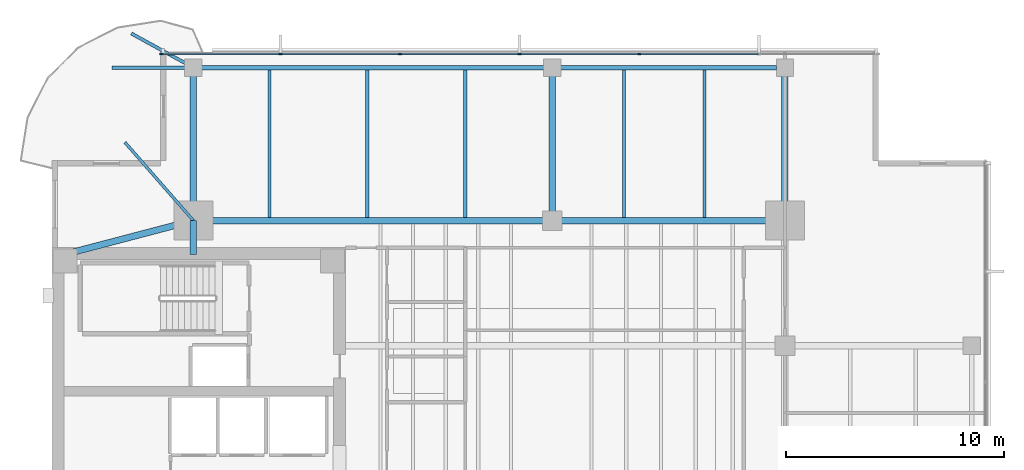
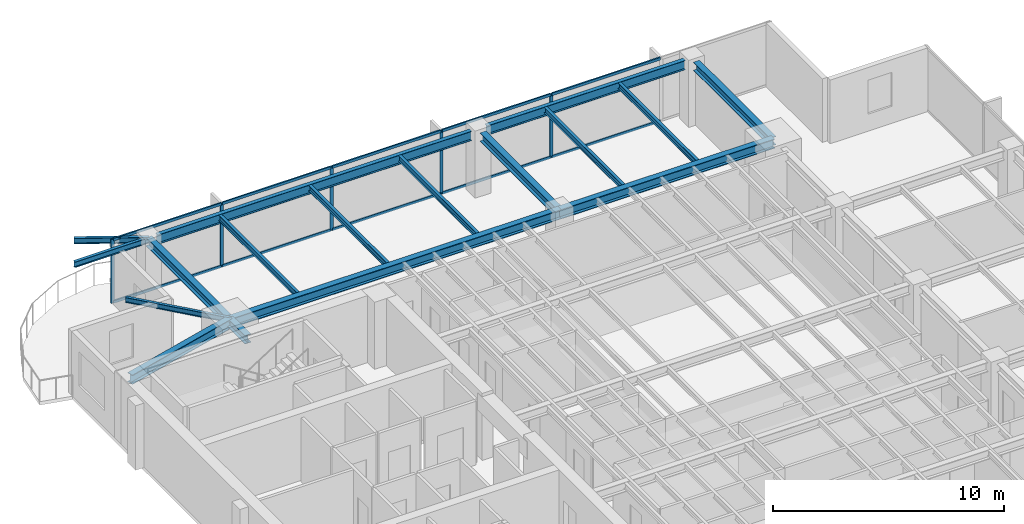
# One storey, part 5 of 14: 17 beams, 15 members, 1 element without a shape of its own.
"""IFC4 building model written with IfcOpenShell, lengths in metres."""

from ifc_helpers import new_model, si_unit, direction, frame, origin, origin_2d, place, context, subcontext, project, spatial, rectangle, i_section, extrude, material, layer, layer_set, material_profile, profile_set, type_object, element, aggregate, save


model = new_model("IFC4")

# Units and contexts
model_context = context("Model", 3, precision=1e-05, world=origin(), true_north=direction((0.0, 1.0)))
body_context = subcontext(model_context, "Body", "Model", "MODEL_VIEW")
ifc_project = project(units=[si_unit("LENGTHUNIT", "METRE"), si_unit("AREAUNIT", "SQUARE_METRE"), si_unit("VOLUMEUNIT", "CUBIC_METRE"), si_unit("PLANEANGLEUNIT", "RADIAN"), si_unit("MASSUNIT", "GRAM", prefix="KILO")], contexts=[model_context])

# Site, building, storey
site_placement = place(None, origin())
site = spatial("IfcSite", under=ifc_project, at=site_placement, CompositionType="ELEMENT")
building_placement = place(site_placement, origin())
building = spatial("IfcBuilding", under=site, at=building_placement, Name="Kinhvarn Gate Tower", CompositionType="ELEMENT")
storey_placement = place(building_placement, frame((0.0, 0.0, 230.64990234375)))
storey = spatial("IfcBuildingStorey", under=building, at=storey_placement, Name="L61", CompositionType="ELEMENT", Elevation=230.64990234375)

# Curtain wall, members
ifc_material_1 = material(Name="Anodised aluminium AW-6063", Category="aluminium")
ifc_layer = layer(ifc_material_1, 0.179931640625)
ifc_layer_set = layer_set([ifc_layer], Name="Anodised aluminium AW-6063")
curtain_wall_type = type_object("IfcCurtainWallType", Name="CW-SYS-3", PredefinedType="NOTDEFINED", material=ifc_layer_set)
curtain_wall_placement = place(storey_placement, origin())
curtain_wall = element("IfcCurtainWall", 1, at=curtain_wall_placement, inside=storey, type_object=curtain_wall_type, Name="Curtain Wall CW3 (L61)", PredefinedType="NOTDEFINED")
ifc_material_profile_1 = material_profile(ifc_material_1, rectangle(XDim=0.06494140625, YDim=0.159912109375, at=origin_2d()), Name="ALU 65x160")
ifc_profile_set_1 = profile_set([ifc_material_profile_1], Name="Anodised aluminium AW-6063")
member_type_1 = type_object("IfcMemberType", Name="CW-MUL-160", PredefinedType="MULLION", material=ifc_profile_set_1)
member_1_placement = place(storey_placement, frame((31.5, 45.409912109375, 0.0), z_axis=(0.0, 0.0, 1.0), x_axis=(0.0, -1.0, 0.0)))
member_1 = element("IfcMember", 2, at=member_1_placement, type_object=member_type_1, Name="CW3 mullion 3", PredefinedType="MULLION", context=body_context, shape_type="SweptSolid", body=[
    extrude(rectangle(XDim=0.06494140625, YDim=0.159912109375, at=origin_2d()), origin(), (0.0, 0.0, 1.0), 3.3701171875),
])
member_2_placement = place(storey_placement, frame((26.0, 45.409912109375, 0.0), z_axis=(0.0, 0.0, 1.0), x_axis=(0.0, -1.0, 0.0)))
member_2 = element("IfcMember", 3, at=member_2_placement, type_object=member_type_1, Name="CW3 mullion 4", PredefinedType="MULLION", context=body_context, shape_type="SweptSolid", body=[
    extrude(rectangle(XDim=0.06494140625, YDim=0.159912109375, at=origin_2d()), origin(), (0.0, 0.0, 1.0), 3.3701171875),
])
member_3_placement = place(storey_placement, frame((20.5, 45.409912109375, 0.0), z_axis=(0.0, 0.0, 1.0), x_axis=(0.0, -1.0, 0.0)))
member_3 = element("IfcMember", 4, at=member_3_placement, type_object=member_type_1, Name="CW3 mullion 5", PredefinedType="MULLION", context=body_context, shape_type="SweptSolid", body=[
    extrude(rectangle(XDim=0.06494140625, YDim=0.159912109375, at=origin_2d()), origin(), (0.0, 0.0, 1.0), 3.3701171875),
])
member_4_placement = place(storey_placement, frame((15.0, 45.409912109375, 0.0), z_axis=(0.0, 0.0, 1.0), x_axis=(0.0, -1.0, 0.0)))
member_4 = element("IfcMember", 5, at=member_4_placement, type_object=member_type_1, Name="CW3 mullion 6", PredefinedType="MULLION", context=body_context, shape_type="SweptSolid", body=[
    extrude(rectangle(XDim=0.06494140625, YDim=0.159912109375, at=origin_2d()), origin(), (0.0, 0.0, 1.0), 3.3701171875),
])
member_5_placement = place(storey_placement, frame((9.532470703125, 45.409912109375, 0.0), z_axis=(0.0, 0.0, 1.0), x_axis=(0.0, -1.0, 0.0)))
member_5 = element("IfcMember", 6, at=member_5_placement, type_object=member_type_1, Name="CW3 mullion 7", PredefinedType="MULLION", context=body_context, shape_type="SweptSolid", body=[
    extrude(rectangle(XDim=0.06494140625, YDim=0.159912109375, at=origin_2d()), origin(), (0.0, 0.0, 1.0), 3.3701171875),
])
ifc_material_profile_2 = material_profile(ifc_material_1, rectangle(XDim=0.070068359375, YDim=0.139892578125, at=origin_2d()), Name="ALU 70x140")
ifc_profile_set_2 = profile_set([ifc_material_profile_2], Name="Anodised aluminium AW-6063")
member_type_2 = type_object("IfcMemberType", Name="CW-TRN-140", PredefinedType="USERDEFINED", material=ifc_profile_set_2)
member_6_placement = place(storey_placement, frame((36.967529296875, 45.409912109375, 0.03515625), z_axis=(-1.0, 0.0, 0.0), x_axis=(0.0, -1.0, 0.0)))
member_6 = element("IfcMember", 7, at=member_6_placement, type_object=member_type_2, Name="CW3 transom 2.1", ObjectType="TRANSOM", PredefinedType="USERDEFINED", context=body_context, shape_type="SweptSolid", body=[
    extrude(rectangle(XDim=0.070068359375, YDim=0.139892578125, at=origin_2d()), origin(), (0.0, 0.0, 1.0), 5.43505859375),
])
member_7_placement = place(storey_placement, frame((36.967529296875, 45.409912109375, 3.335205078125), z_axis=(-1.0, 0.0, 0.0), x_axis=(0.0, -1.0, 0.0)))
member_7 = element("IfcMember", 8, at=member_7_placement, type_object=member_type_2, Name="CW3 transom 2.2", ObjectType="TRANSOM", PredefinedType="USERDEFINED", context=body_context, shape_type="SweptSolid", body=[
    extrude(rectangle(XDim=0.070068359375, YDim=0.139892578125, at=origin_2d()), origin(), (0.0, 0.0, 1.0), 5.43505859375),
])
member_8_placement = place(storey_placement, frame((31.467529296875, 45.409912109375, 0.03515625), z_axis=(-1.0, 0.0, 0.0), x_axis=(0.0, -1.0, 0.0)))
member_8 = element("IfcMember", 9, at=member_8_placement, type_object=member_type_2, Name="CW3 transom 3.1", ObjectType="TRANSOM", PredefinedType="USERDEFINED", context=body_context, shape_type="SweptSolid", body=[
    extrude(rectangle(XDim=0.070068359375, YDim=0.139892578125, at=origin_2d()), origin(), (0.0, 0.0, 1.0), 5.43505859375),
])
member_9_placement = place(storey_placement, frame((31.467529296875, 45.409912109375, 3.335205078125), z_axis=(-1.0, 0.0, 0.0), x_axis=(0.0, -1.0, 0.0)))
member_9 = element("IfcMember", 10, at=member_9_placement, type_object=member_type_2, Name="CW3 transom 3.2", ObjectType="TRANSOM", PredefinedType="USERDEFINED", context=body_context, shape_type="SweptSolid", body=[
    extrude(rectangle(XDim=0.070068359375, YDim=0.139892578125, at=origin_2d()), origin(), (0.0, 0.0, 1.0), 5.43505859375),
])
member_10_placement = place(storey_placement, frame((25.967529296875, 45.409912109375, 0.03515625), z_axis=(-1.0, 0.0, 0.0), x_axis=(0.0, -1.0, 0.0)))
member_10 = element("IfcMember", 11, at=member_10_placement, type_object=member_type_2, Name="CW3 transom 4.1", ObjectType="TRANSOM", PredefinedType="USERDEFINED", context=body_context, shape_type="SweptSolid", body=[
    extrude(rectangle(XDim=0.070068359375, YDim=0.139892578125, at=origin_2d()), origin(), (0.0, 0.0, 1.0), 5.43505859375),
])
member_11_placement = place(storey_placement, frame((25.967529296875, 45.409912109375, 3.335205078125), z_axis=(-1.0, 0.0, 0.0), x_axis=(0.0, -1.0, 0.0)))
member_11 = element("IfcMember", 12, at=member_11_placement, type_object=member_type_2, Name="CW3 transom 4.2", ObjectType="TRANSOM", PredefinedType="USERDEFINED", context=body_context, shape_type="SweptSolid", body=[
    extrude(rectangle(XDim=0.070068359375, YDim=0.139892578125, at=origin_2d()), origin(), (0.0, 0.0, 1.0), 5.43505859375),
])
member_12_placement = place(storey_placement, frame((20.467529296875, 45.409912109375, 0.03515625), z_axis=(-1.0, 0.0, 0.0), x_axis=(0.0, -1.0, 0.0)))
member_12 = element("IfcMember", 13, at=member_12_placement, type_object=member_type_2, Name="CW3 transom 5.1", ObjectType="TRANSOM", PredefinedType="USERDEFINED", context=body_context, shape_type="SweptSolid", body=[
    extrude(rectangle(XDim=0.070068359375, YDim=0.139892578125, at=origin_2d()), origin(), (0.0, 0.0, 1.0), 5.43505859375),
])
member_13_placement = place(storey_placement, frame((20.467529296875, 45.409912109375, 3.335205078125), z_axis=(-1.0, 0.0, 0.0), x_axis=(0.0, -1.0, 0.0)))
member_13 = element("IfcMember", 14, at=member_13_placement, type_object=member_type_2, Name="CW3 transom 5.2", ObjectType="TRANSOM", PredefinedType="USERDEFINED", context=body_context, shape_type="SweptSolid", body=[
    extrude(rectangle(XDim=0.070068359375, YDim=0.139892578125, at=origin_2d()), origin(), (0.0, 0.0, 1.0), 5.43505859375),
])
member_14_placement = place(storey_placement, frame((14.967529296875, 45.409912109375, 0.03515625), z_axis=(-1.0, 0.0, 0.0), x_axis=(0.0, -1.0, 0.0)))
member_14 = element("IfcMember", 15, at=member_14_placement, type_object=member_type_2, Name="CW3 transom 6.1", ObjectType="TRANSOM", PredefinedType="USERDEFINED", context=body_context, shape_type="SweptSolid", body=[
    extrude(rectangle(XDim=0.070068359375, YDim=0.139892578125, at=origin_2d()), origin(), (0.0, 0.0, 1.0), 5.402587890625),
])
member_15_placement = place(storey_placement, frame((14.967529296875, 45.409912109375, 3.335205078125), z_axis=(-1.0, 0.0, 0.0), x_axis=(0.0, -1.0, 0.0)))
member_15 = element("IfcMember", 16, at=member_15_placement, type_object=member_type_2, Name="CW3 transom 6.2", ObjectType="TRANSOM", PredefinedType="USERDEFINED", context=body_context, shape_type="SweptSolid", body=[
    extrude(rectangle(XDim=0.070068359375, YDim=0.139892578125, at=origin_2d()), origin(), (0.0, 0.0, 1.0), 5.402587890625),
])
aggregate(curtain_wall, [member_1, member_2, member_3, member_4, member_5, member_6, member_7, member_8, member_9, member_10, member_11, member_12, member_13, member_14, member_15])

# Beams
ifc_material_2 = material(Name="Steel S355", Category="steel")
ifc_material_profile_3 = material_profile(ifc_material_2, i_section(OverallWidth=0.300048828125, OverallDepth=0.449951171875, WebThickness=0.013916015625, FlangeThickness=0.02587890625, at=origin_2d()), Name="HEB 450")
ifc_profile_set_3 = profile_set([ifc_material_profile_3], Name="Steel S355")
beam_type_1 = type_object("IfcBeamType", Name="STL-HEB450", PredefinedType="BEAM", material=ifc_profile_set_3)
beam_1_placement = place(storey_placement, frame((11.0, 36.199951171875, 3.14501953125), z_axis=(0.0, 1.0, 0.0), x_axis=(-1.0, 0.0, 0.0)))
element("IfcBeam", 17, at=beam_1_placement, inside=storey, type_object=beam_type_1, Name="Floor Beam PG-13 (L61 MCW-CN)", PredefinedType="BEAM", context=body_context, shape_type="SweptSolid", body=[
    extrude(i_section(OverallWidth=0.300048828125, OverallDepth=0.449951171875, WebThickness=0.013916015625, FlangeThickness=0.02587890625, at=origin_2d()), origin(), (0.0, 0.0, 1.0), 1.550048828125),
])
beam_2_placement = place(storey_placement, frame((11.0, 37.75, 3.14501953125), z_axis=(0.0, 1.0, 0.0), x_axis=(-1.0, 0.0, 0.0)))
element("IfcBeam", 18, at=beam_2_placement, inside=storey, type_object=beam_type_1, Name="Floor Beam PG-13 (L61 MCW-N)", PredefinedType="BEAM", context=body_context, shape_type="SweptSolid", body=[
    extrude(i_section(OverallWidth=0.300048828125, OverallDepth=0.449951171875, WebThickness=0.013916015625, FlangeThickness=0.02587890625, at=origin_2d()), origin(), (0.0, 0.0, 1.0), 7.030029296875),
])
for number, where, z_axis, x_axis, name in (
    (19, (27.5, 37.75, 3.14501953125), (0.0, 1.0, 0.0), (-1.0, 0.0, 0.0), "Floor Beam PG-13 (L61 SP27-N-TIE)"),
    (20, (38.199951171875, 37.75, 3.14501953125), (0.0, 1.0, 0.0), (-1.0, 0.0, 0.0), "Floor Beam PG-13 (L61 MCE-N)"),
):
    element("IfcBeam", number, at=place(storey_placement, frame(where, z_axis=z_axis, x_axis=x_axis)), inside=storey, type_object=beam_type_1, Name=name, PredefinedType="BEAM", context=body_context, shape_type="SweptSolid", body=[
        extrude(i_section(OverallWidth=0.300048828125, OverallDepth=0.449951171875, WebThickness=0.013916015625, FlangeThickness=0.02587890625, at=origin_2d()), origin(), (0.0, 0.0, 1.0), 6.64501953125),
    ])
ifc_material_profile_4 = material_profile(ifc_material_2, i_section(OverallWidth=0.300048828125, OverallDepth=0.5, WebThickness=0.014404296875, FlangeThickness=0.028076171875, at=origin_2d()), Name="HEB 500")
ifc_profile_set_4 = profile_set([ifc_material_profile_4], Name="Steel S355")
beam_type_2 = type_object("IfcBeamType", Name="STL-HEB500", PredefinedType="BEAM", material=ifc_profile_set_4)
beam_3_placement = place(storey_placement, frame((11.0, 37.75, 3.1201171875), z_axis=(1.0, 0.0, 0.0), x_axis=(0.0, 1.0, 0.0)))
element("IfcBeam", 21, at=beam_3_placement, inside=storey, type_object=beam_type_2, Name="Floor Beam PG-14 (L61 MG-N1)", PredefinedType="BEAM", context=body_context, shape_type="SweptSolid", body=[
    extrude(i_section(OverallWidth=0.300048828125, OverallDepth=0.5, WebThickness=0.014404296875, FlangeThickness=0.028076171875, at=origin_2d()), origin(), (0.0, 0.0, 1.0), 16.5),
])
beam_4_placement = place(storey_placement, frame((27.5, 37.75, 3.1201171875), z_axis=(1.0, 0.0, 0.0), x_axis=(0.0, 1.0, 0.0)))
element("IfcBeam", 22, at=beam_4_placement, inside=storey, type_object=beam_type_2, Name="Floor Beam PG-14 (L61 MG-N2)", PredefinedType="BEAM", context=body_context, shape_type="SweptSolid", body=[
    extrude(i_section(OverallWidth=0.300048828125, OverallDepth=0.5, WebThickness=0.014404296875, FlangeThickness=0.028076171875, at=origin_2d()), origin(), (0.0, 0.0, 1.0), 10.699951171875),
])
beam_5_placement = place(storey_placement, frame((5.10009765625, 36.199951171875, 3.1201171875), z_axis=(0.967177623957, 0.254101246979, 0.0), x_axis=(-0.254101246979, 0.967177623957, 0.0)))
element("IfcBeam", 23, at=beam_5_placement, inside=storey, type_object=beam_type_2, Name="Floor Beam PG-14 (L61 MG-NW-DIAG)", PredefinedType="BEAM", context=body_context, shape_type="SweptSolid", body=[
    extrude(i_section(OverallWidth=0.300048828125, OverallDepth=0.5, WebThickness=0.014404296875, FlangeThickness=0.028076171875, at=origin_2d()), origin(), (0.0, 0.0, 1.0), 6.10009765625),
])
ifc_material_profile_5 = material_profile(ifc_material_2, i_section(OverallWidth=0.135009765625, OverallDepth=0.27001953125, WebThickness=0.006591796875, FlangeThickness=0.01025390625, at=origin_2d()), Name="IPE 270")
ifc_profile_set_5 = profile_set([ifc_material_profile_5], Name="Steel S355")
beam_type_3 = type_object("IfcBeamType", Name="STL-IPE270", PredefinedType="JOIST", material=ifc_profile_set_5)
beam_6_placement = place(storey_placement, frame((11.0, 37.75, 3.235107421875), z_axis=(-0.658482928045, 0.752595664001, 0.0), x_axis=(-0.752595664001, -0.658482928045, 0.0)))
element("IfcBeam", 24, at=beam_6_placement, inside=storey, type_object=beam_type_3, Name="Floor Joist SB-01 (L61 BAL-B3-L62)", PredefinedType="JOIST", context=body_context, shape_type="SweptSolid", body=[
    extrude(i_section(OverallWidth=0.135009765625, OverallDepth=0.27001953125, WebThickness=0.006591796875, FlangeThickness=0.01025390625, at=origin_2d()), origin(), (0.0, 0.0, 1.0), 4.78369140625),
])
ifc_material_profile_6 = material_profile(ifc_material_2, i_section(OverallWidth=0.14990234375, OverallDepth=0.300048828125, WebThickness=0.007080078125, FlangeThickness=0.0107421875, at=origin_2d()), Name="IPE 300")
ifc_profile_set_6 = profile_set([ifc_material_profile_6], Name="Steel S355")
beam_type_4 = type_object("IfcBeamType", Name="STL-IPE300", PredefinedType="JOIST", material=ifc_profile_set_6)
for number, where, z_axis, x_axis, name in (
    (25, (14.5, 37.89990234375, 3.22021484375), (0.0, 1.0, 0.0), (-1.0, 0.0, 0.0), "Floor Joist SB-02 (L61 JN-X145)"),
    (26, (19.0, 37.89990234375, 3.22021484375), (0.0, 1.0, 0.0), (-1.0, 0.0, 0.0), "Floor Joist SB-02 (L61 JN-X190)"),
    (27, (23.5, 37.89990234375, 3.22021484375), (0.0, 1.0, 0.0), (-1.0, 0.0, 0.0), "Floor Joist SB-02 (L61 JN-X235)"),
    (28, (30.800048828125, 37.89990234375, 3.22021484375), (0.0, 1.0, 0.0), (-1.0, 0.0, 0.0), "Floor Joist SB-02 (L61 JN-X308)"),
    (29, (34.5, 37.89990234375, 3.22021484375), (0.0, 1.0, 0.0), (-1.0, 0.0, 0.0), "Floor Joist SB-02 (L61 JN-X345)"),
):
    element("IfcBeam", number, at=place(storey_placement, frame(where, z_axis=z_axis, x_axis=x_axis)), inside=storey, type_object=beam_type_4, Name=name, PredefinedType="JOIST", context=body_context, shape_type="SweptSolid", body=[
        extrude(i_section(OverallWidth=0.14990234375, OverallDepth=0.300048828125, WebThickness=0.007080078125, FlangeThickness=0.0107421875, at=origin_2d()), origin(), (0.0, 0.0, 1.0), 6.780029296875),
    ])
beam_7_placement = place(storey_placement, frame((11.0, 44.780029296875, 3.22021484375), z_axis=(-1.0, 0.0, 0.0), x_axis=(0.0, -1.0, 0.0)))
element("IfcBeam", 30, at=beam_7_placement, inside=storey, type_object=beam_type_4, Name="Floor Joist SB-02 (L61 BAL-B1-L62)", PredefinedType="JOIST", context=body_context, shape_type="SweptSolid", body=[
    extrude(i_section(OverallWidth=0.14990234375, OverallDepth=0.300048828125, WebThickness=0.007080078125, FlangeThickness=0.0107421875, at=origin_2d()), origin(), (0.0, 0.0, 1.0), 3.75),
])
beam_8_placement = place(storey_placement, frame((11.0, 44.780029296875, 3.22021484375), z_axis=(-0.875889381738, 0.482511959394, 0.0), x_axis=(-0.482511959394, -0.875889381738, 0.0)))
element("IfcBeam", 31, at=beam_8_placement, inside=storey, type_object=beam_type_4, Name="Floor Joist SB-02 (L61 BAL-B2-L62)", PredefinedType="JOIST", context=body_context, shape_type="SweptSolid", body=[
    extrude(i_section(OverallWidth=0.14990234375, OverallDepth=0.300048828125, WebThickness=0.007080078125, FlangeThickness=0.0107421875, at=origin_2d()), origin(), (0.0, 0.0, 1.0), 3.25390625),
])
ifc_material_profile_7 = material_profile(ifc_material_2, i_section(OverallWidth=0.199951171875, OverallDepth=0.5, WebThickness=0.01025390625, FlangeThickness=0.01611328125, at=origin_2d()), Name="IPE 500")
ifc_profile_set_7 = profile_set([ifc_material_profile_7], Name="Steel S355")
beam_type_5 = type_object("IfcBeamType", Name="STL-IPE500", PredefinedType="SPANDREL", material=ifc_profile_set_7)
beam_9_placement = place(storey_placement, frame((11.385009765625, 44.780029296875, 3.1201171875), z_axis=(1.0, 0.0, 0.0), x_axis=(0.0, 1.0, 0.0)))
element("IfcBeam", 32, at=beam_9_placement, inside=storey, type_object=beam_type_5, Name="Floor Spandrel SB-07 (L61 SP-N1)", PredefinedType="SPANDREL", context=body_context, shape_type="SweptSolid", body=[
    extrude(i_section(OverallWidth=0.199951171875, OverallDepth=0.5, WebThickness=0.01025390625, FlangeThickness=0.01611328125, at=origin_2d()), origin(), (0.0, 0.0, 1.0), 15.72998046875),
])
beam_10_placement = place(storey_placement, frame((27.885009765625, 44.780029296875, 3.1201171875), z_axis=(1.0, 0.0, 0.0), x_axis=(0.0, 1.0, 0.0)))
element("IfcBeam", 33, at=beam_10_placement, inside=storey, type_object=beam_type_5, Name="Floor Spandrel SB-07 (L61 SP-N2)", PredefinedType="SPANDREL", context=body_context, shape_type="SweptSolid", body=[
    extrude(i_section(OverallWidth=0.199951171875, OverallDepth=0.5, WebThickness=0.01025390625, FlangeThickness=0.01611328125, at=origin_2d()), origin(), (0.0, 0.0, 1.0), 9.929931640625),
])

save(model, "model.ifc")
